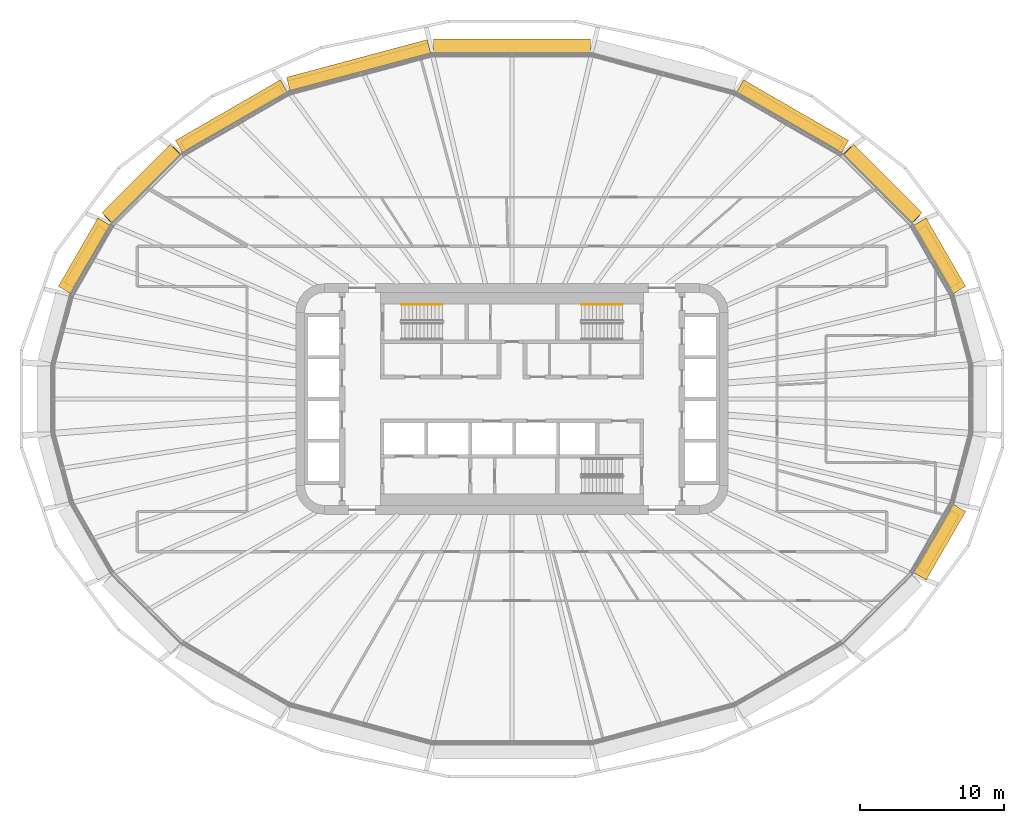
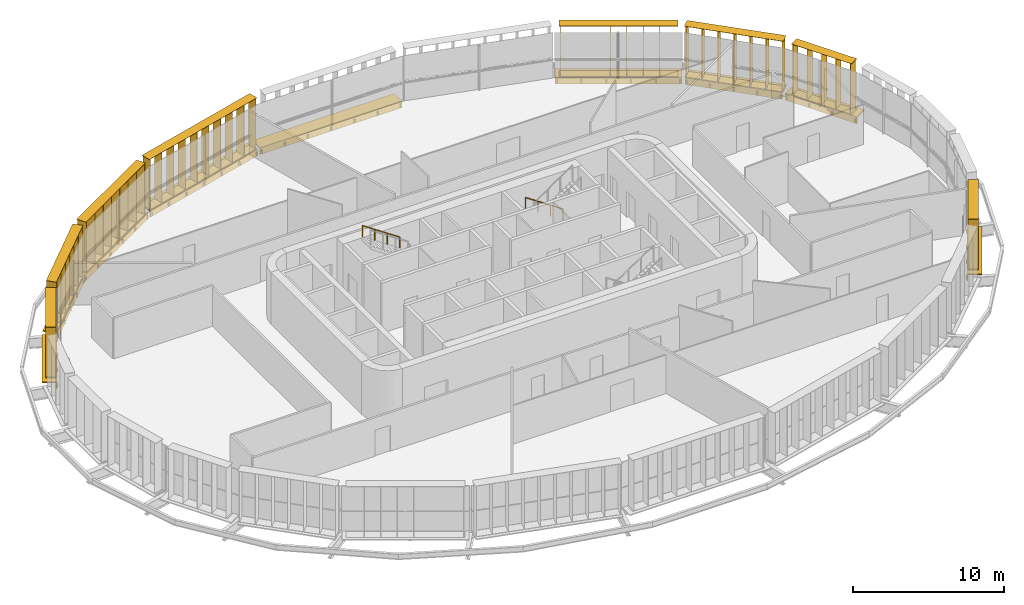
# One storey, part 24 of 25: 17 shading devices, 2 railings.
"""IFC4 building model written with IfcOpenShell, lengths in metres."""

from ifc_helpers import new_model, si_unit, direction, frame, origin, origin_2d, place, context, subcontext, project, spatial, rectangle, circle, extrude, material, type_object, element, save


model = new_model("IFC4")

# Units and contexts
model_context = context("Model", 3, precision=1e-05, world=origin(), true_north=direction((0.0, 1.0)))
body_context = subcontext(model_context, "Body", "Model", "MODEL_VIEW")
ifc_project = project(units=[si_unit("LENGTHUNIT", "METRE"), si_unit("AREAUNIT", "SQUARE_METRE"), si_unit("VOLUMEUNIT", "CUBIC_METRE"), si_unit("PLANEANGLEUNIT", "RADIAN"), si_unit("MASSUNIT", "GRAM", prefix="KILO")], contexts=[model_context])

# Site, building, storey
site_placement = place(None, origin())
site = spatial("IfcSite", under=ifc_project, at=site_placement, CompositionType="ELEMENT")
building_placement = place(site_placement, origin())
building = spatial("IfcBuilding", under=site, at=building_placement, Name="Sahrelin Media Tower", CompositionType="ELEMENT")
storey_placement = place(building_placement, frame((0.0, 0.0, 106.199951171875)))
storey = spatial("IfcBuildingStorey", under=building, at=storey_placement, Name="L20", CompositionType="ELEMENT", Elevation=106.199951171875)

# Shading devices
ifc_material_1 = material(Name="Champagne anodised aluminium 6063-T6", Category="aluminium")
shading_device_type_1 = type_object("IfcShadingDeviceType", Name="Fin cassette", PredefinedType="USERDEFINED", material=ifc_material_1)
placement_1 = place(storey_placement, frame((29.231689453125, 9.67041015625, 0.0), z_axis=(0.0, 0.0, 1.0), x_axis=(0.500011000363, -0.866019052629, 0.0)))
element("IfcShadingDevice", 1, at=placement_1, inside=storey, type_object=shading_device_type_1, Name="L20:FIN:L20-02", ObjectType="FIN", PredefinedType="USERDEFINED", context=body_context, shape_type="SweptSolid", body=[
    extrude(rectangle(XDim=4.60009765625, YDim=0.699951171875, at=origin_2d()), frame((0.0, 0.419921875, 0.0)), (0.0, 0.0, 1.0), 0.02001953125),
    extrude(rectangle(XDim=4.60009765625, YDim=0.699951171875, at=origin_2d()), frame((0.0, 0.419921875, 4.10009765625)), (0.0, 0.0, 1.0), 0.02001953125),
    extrude(rectangle(XDim=0.02001953125, YDim=0.699951171875, at=origin_2d()), frame((-2.199951171875, 0.419921875, 0.010009765625), z_axis=(0.0, 0.0, 1.0), x_axis=(1.0, 0.0, 0.0)), (0.0, 0.0, 1.0), 4.10009765625),
    extrude(rectangle(XDim=0.02001953125, YDim=0.699951171875, at=origin_2d()), frame((-1.10009765625, 0.419921875, 0.010009765625), z_axis=(0.0, 0.0, 1.0), x_axis=(1.0, 0.0, 0.0)), (0.0, 0.0, 1.0), 4.10009765625),
    extrude(rectangle(XDim=0.02001953125, YDim=0.699951171875, at=origin_2d()), frame((0.0, 0.419921875, 0.010009765625), z_axis=(0.0, 0.0, 1.0), x_axis=(1.0, 0.0, 0.0)), (0.0, 0.0, 1.0), 4.10009765625),
    extrude(rectangle(XDim=0.02001953125, YDim=0.699951171875, at=origin_2d()), frame((1.10009765625, 0.419921875, 0.010009765625), z_axis=(0.0, 0.0, 1.0), x_axis=(1.0, 0.0, 0.0)), (0.0, 0.0, 1.0), 4.10009765625),
    extrude(rectangle(XDim=0.02001953125, YDim=0.699951171875, at=origin_2d()), frame((2.199951171875, 0.419921875, 0.010009765625), z_axis=(0.0, 0.0, 1.0), x_axis=(1.0, 0.0, 0.0)), (0.0, 0.0, 1.0), 4.10009765625),
])
placement_2 = place(storey_placement, frame((25.371337890625, 14.5703125, 0.0), z_axis=(0.0, 0.0, 1.0), x_axis=(0.707106781187, -0.707106781187, 0.0)))
element("IfcShadingDevice", 2, at=placement_2, inside=storey, type_object=shading_device_type_1, Name="L20:FIN:L20-03", ObjectType="FIN", PredefinedType="USERDEFINED", context=body_context, shape_type="SweptSolid", body=[
    extrude(rectangle(XDim=6.800048828125, YDim=0.699951171875, at=origin_2d()), frame((0.0, 0.419921875, 0.0)), (0.0, 0.0, 1.0), 0.02001953125),
    extrude(rectangle(XDim=6.800048828125, YDim=0.699951171875, at=origin_2d()), frame((0.0, 0.419921875, 4.10009765625)), (0.0, 0.0, 1.0), 0.02001953125),
    extrude(rectangle(XDim=0.02001953125, YDim=0.699951171875, at=origin_2d()), frame((-3.300048828125, 0.419921875, 0.010009765625), z_axis=(0.0, 0.0, 1.0), x_axis=(1.0, 0.0, 0.0)), (0.0, 0.0, 1.0), 4.10009765625),
    extrude(rectangle(XDim=0.02001953125, YDim=0.699951171875, at=origin_2d()), frame((-2.199951171875, 0.419921875, 0.010009765625), z_axis=(0.0, 0.0, 1.0), x_axis=(1.0, 0.0, 0.0)), (0.0, 0.0, 1.0), 4.10009765625),
    extrude(rectangle(XDim=0.02001953125, YDim=0.699951171875, at=origin_2d()), frame((-1.10009765625, 0.419921875, 0.010009765625), z_axis=(0.0, 0.0, 1.0), x_axis=(1.0, 0.0, 0.0)), (0.0, 0.0, 1.0), 4.10009765625),
    extrude(rectangle(XDim=0.02001953125, YDim=0.699951171875, at=origin_2d()), frame((0.0, 0.419921875, 0.010009765625), z_axis=(0.0, 0.0, 1.0), x_axis=(1.0, 0.0, 0.0)), (0.0, 0.0, 1.0), 4.10009765625),
    extrude(rectangle(XDim=0.02001953125, YDim=0.699951171875, at=origin_2d()), frame((1.10009765625, 0.419921875, 0.010009765625), z_axis=(0.0, 0.0, 1.0), x_axis=(1.0, 0.0, 0.0)), (0.0, 0.0, 1.0), 4.10009765625),
    extrude(rectangle(XDim=0.02001953125, YDim=0.699951171875, at=origin_2d()), frame((2.199951171875, 0.419921875, 0.010009765625), z_axis=(0.0, 0.0, 1.0), x_axis=(1.0, 0.0, 0.0)), (0.0, 0.0, 1.0), 4.10009765625),
    extrude(rectangle(XDim=0.02001953125, YDim=0.699951171875, at=origin_2d()), frame((3.300048828125, 0.419921875, 0.010009765625), z_axis=(0.0, 0.0, 1.0), x_axis=(1.0, 0.0, 0.0)), (0.0, 0.0, 1.0), 4.10009765625),
])
placement_3 = place(storey_placement, frame((19.20751953125, 19.160400390625, 0.0), z_axis=(0.0, 0.0, 1.0), x_axis=(0.866019052629, -0.500011000363, 0.0)))
element("IfcShadingDevice", 3, at=placement_3, inside=storey, type_object=shading_device_type_1, Name="L20:FIN:L20-04", ObjectType="FIN", PredefinedType="USERDEFINED", context=body_context, shape_type="SweptSolid", body=[
    extrude(rectangle(XDim=7.89990234375, YDim=0.699951171875, at=origin_2d()), frame((0.0, 0.419921875, 0.0)), (0.0, 0.0, 1.0), 0.02001953125),
    extrude(rectangle(XDim=7.89990234375, YDim=0.699951171875, at=origin_2d()), frame((0.0, 0.419921875, 4.10009765625)), (0.0, 0.0, 1.0), 0.02001953125),
    extrude(rectangle(XDim=0.02001953125, YDim=0.699951171875, at=origin_2d()), frame((-3.85009765625, 0.419921875, 0.010009765625), z_axis=(0.0, 0.0, 1.0), x_axis=(1.0, 0.0, 0.0)), (0.0, 0.0, 1.0), 4.10009765625),
    extrude(rectangle(XDim=0.02001953125, YDim=0.699951171875, at=origin_2d()), frame((-2.75, 0.419921875, 0.010009765625), z_axis=(0.0, 0.0, 1.0), x_axis=(1.0, 0.0, 0.0)), (0.0, 0.0, 1.0), 4.10009765625),
    extrude(rectangle(XDim=0.02001953125, YDim=0.699951171875, at=origin_2d()), frame((-1.64990234375, 0.419921875, 0.010009765625), z_axis=(0.0, 0.0, 1.0), x_axis=(1.0, 0.0, 0.0)), (0.0, 0.0, 1.0), 4.10009765625),
    extrude(rectangle(XDim=0.02001953125, YDim=0.699951171875, at=origin_2d()), frame((-0.550048828125, 0.419921875, 0.010009765625), z_axis=(0.0, 0.0, 1.0), x_axis=(1.0, 0.0, 0.0)), (0.0, 0.0, 1.0), 4.10009765625),
    extrude(rectangle(XDim=0.02001953125, YDim=0.699951171875, at=origin_2d()), frame((0.550048828125, 0.419921875, 0.010009765625), z_axis=(0.0, 0.0, 1.0), x_axis=(1.0, 0.0, 0.0)), (0.0, 0.0, 1.0), 4.10009765625),
    extrude(rectangle(XDim=0.02001953125, YDim=0.699951171875, at=origin_2d()), frame((1.64990234375, 0.419921875, 0.010009765625), z_axis=(0.0, 0.0, 1.0), x_axis=(1.0, 0.0, 0.0)), (0.0, 0.0, 1.0), 4.10009765625),
    extrude(rectangle(XDim=0.02001953125, YDim=0.699951171875, at=origin_2d()), frame((2.75, 0.419921875, 0.010009765625), z_axis=(0.0, 0.0, 1.0), x_axis=(1.0, 0.0, 0.0)), (0.0, 0.0, 1.0), 4.10009765625),
    extrude(rectangle(XDim=0.02001953125, YDim=0.699951171875, at=origin_2d()), frame((3.85009765625, 0.419921875, 0.010009765625), z_axis=(0.0, 0.0, 1.0), x_axis=(1.0, 0.0, 0.0)), (0.0, 0.0, 1.0), 4.10009765625),
])
placement_4 = place(storey_placement, frame((-10.507080078125, 22.643798828125, 0.0), z_axis=(0.0, 0.0, 1.0), x_axis=(0.965928857556, 0.258807731996, 0.0)))
element("IfcShadingDevice", 4, at=placement_4, inside=storey, type_object=shading_device_type_1, Name="L20:FIN:L20-07", ObjectType="FIN", PredefinedType="USERDEFINED", context=body_context, shape_type="SweptSolid", body=[
    extrude(rectangle(XDim=10.10009765625, YDim=0.699951171875, at=origin_2d()), frame((0.0, 0.419921875, 0.0)), (0.0, 0.0, 1.0), 0.02001953125),
    extrude(rectangle(XDim=10.10009765625, YDim=0.699951171875, at=origin_2d()), frame((0.0, 0.419921875, 4.10009765625)), (0.0, 0.0, 1.0), 0.02001953125),
    extrude(rectangle(XDim=0.02001953125, YDim=0.699951171875, at=origin_2d()), frame((-4.949951171875, 0.419921875, 0.010009765625), z_axis=(0.0, 0.0, 1.0), x_axis=(1.0, 0.0, 0.0)), (0.0, 0.0, 1.0), 4.10009765625),
    extrude(rectangle(XDim=0.02001953125, YDim=0.699951171875, at=origin_2d()), frame((-3.85009765625, 0.419921875, 0.010009765625), z_axis=(0.0, 0.0, 1.0), x_axis=(1.0, 0.0, 0.0)), (0.0, 0.0, 1.0), 4.10009765625),
    extrude(rectangle(XDim=0.02001953125, YDim=0.699951171875, at=origin_2d()), frame((-2.75, 0.419921875, 0.010009765625), z_axis=(0.0, 0.0, 1.0), x_axis=(1.0, 0.0, 0.0)), (0.0, 0.0, 1.0), 4.10009765625),
    extrude(rectangle(XDim=0.02001953125, YDim=0.699951171875, at=origin_2d()), frame((-1.64990234375, 0.419921875, 0.010009765625), z_axis=(0.0, 0.0, 1.0), x_axis=(1.0, 0.0, 0.0)), (0.0, 0.0, 1.0), 4.10009765625),
    extrude(rectangle(XDim=0.02001953125, YDim=0.699951171875, at=origin_2d()), frame((-0.550048828125, 0.419921875, 0.010009765625), z_axis=(0.0, 0.0, 1.0), x_axis=(1.0, 0.0, 0.0)), (0.0, 0.0, 1.0), 4.10009765625),
    extrude(rectangle(XDim=0.02001953125, YDim=0.699951171875, at=origin_2d()), frame((0.550048828125, 0.419921875, 0.010009765625), z_axis=(0.0, 0.0, 1.0), x_axis=(1.0, 0.0, 0.0)), (0.0, 0.0, 1.0), 4.10009765625),
    extrude(rectangle(XDim=0.02001953125, YDim=0.699951171875, at=origin_2d()), frame((1.64990234375, 0.419921875, 0.010009765625), z_axis=(0.0, 0.0, 1.0), x_axis=(1.0, 0.0, 0.0)), (0.0, 0.0, 1.0), 4.10009765625),
    extrude(rectangle(XDim=0.02001953125, YDim=0.699951171875, at=origin_2d()), frame((2.75, 0.419921875, 0.010009765625), z_axis=(0.0, 0.0, 1.0), x_axis=(1.0, 0.0, 0.0)), (0.0, 0.0, 1.0), 4.10009765625),
    extrude(rectangle(XDim=0.02001953125, YDim=0.699951171875, at=origin_2d()), frame((3.85009765625, 0.419921875, 0.010009765625), z_axis=(0.0, 0.0, 1.0), x_axis=(1.0, 0.0, 0.0)), (0.0, 0.0, 1.0), 4.10009765625),
    extrude(rectangle(XDim=0.02001953125, YDim=0.699951171875, at=origin_2d()), frame((4.949951171875, 0.419921875, 0.010009765625), z_axis=(0.0, 0.0, 1.0), x_axis=(1.0, 0.0, 0.0)), (0.0, 0.0, 1.0), 4.10009765625),
])
placement_5 = place(storey_placement, frame((-19.20751953125, 19.160400390625, 0.0), z_axis=(0.0, 0.0, 1.0), x_axis=(0.866019052629, 0.500011000363, 0.0)))
element("IfcShadingDevice", 5, at=placement_5, inside=storey, type_object=shading_device_type_1, Name="L20:FIN:L20-08", ObjectType="FIN", PredefinedType="USERDEFINED", context=body_context, shape_type="SweptSolid", body=[
    extrude(rectangle(XDim=7.89990234375, YDim=0.699951171875, at=origin_2d()), frame((0.0, 0.419921875, 0.0)), (0.0, 0.0, 1.0), 0.02001953125),
    extrude(rectangle(XDim=7.89990234375, YDim=0.699951171875, at=origin_2d()), frame((0.0, 0.419921875, 4.10009765625)), (0.0, 0.0, 1.0), 0.02001953125),
    extrude(rectangle(XDim=0.02001953125, YDim=0.699951171875, at=origin_2d()), frame((-3.85009765625, 0.419921875, 0.010009765625), z_axis=(0.0, 0.0, 1.0), x_axis=(1.0, 0.0, 0.0)), (0.0, 0.0, 1.0), 4.10009765625),
    extrude(rectangle(XDim=0.02001953125, YDim=0.699951171875, at=origin_2d()), frame((-2.75, 0.419921875, 0.010009765625), z_axis=(0.0, 0.0, 1.0), x_axis=(1.0, 0.0, 0.0)), (0.0, 0.0, 1.0), 4.10009765625),
    extrude(rectangle(XDim=0.02001953125, YDim=0.699951171875, at=origin_2d()), frame((-1.64990234375, 0.419921875, 0.010009765625), z_axis=(0.0, 0.0, 1.0), x_axis=(1.0, 0.0, 0.0)), (0.0, 0.0, 1.0), 4.10009765625),
    extrude(rectangle(XDim=0.02001953125, YDim=0.699951171875, at=origin_2d()), frame((-0.550048828125, 0.419921875, 0.010009765625), z_axis=(0.0, 0.0, 1.0), x_axis=(1.0, 0.0, 0.0)), (0.0, 0.0, 1.0), 4.10009765625),
    extrude(rectangle(XDim=0.02001953125, YDim=0.699951171875, at=origin_2d()), frame((0.550048828125, 0.419921875, 0.010009765625), z_axis=(0.0, 0.0, 1.0), x_axis=(1.0, 0.0, 0.0)), (0.0, 0.0, 1.0), 4.10009765625),
    extrude(rectangle(XDim=0.02001953125, YDim=0.699951171875, at=origin_2d()), frame((1.64990234375, 0.419921875, 0.010009765625), z_axis=(0.0, 0.0, 1.0), x_axis=(1.0, 0.0, 0.0)), (0.0, 0.0, 1.0), 4.10009765625),
    extrude(rectangle(XDim=0.02001953125, YDim=0.699951171875, at=origin_2d()), frame((2.75, 0.419921875, 0.010009765625), z_axis=(0.0, 0.0, 1.0), x_axis=(1.0, 0.0, 0.0)), (0.0, 0.0, 1.0), 4.10009765625),
    extrude(rectangle(XDim=0.02001953125, YDim=0.699951171875, at=origin_2d()), frame((3.85009765625, 0.419921875, 0.010009765625), z_axis=(0.0, 0.0, 1.0), x_axis=(1.0, 0.0, 0.0)), (0.0, 0.0, 1.0), 4.10009765625),
])
placement_6 = place(storey_placement, frame((-25.371337890625, 14.5703125, 0.0), z_axis=(0.0, 0.0, 1.0), x_axis=(0.707106781187, 0.707106781187, 0.0)))
element("IfcShadingDevice", 6, at=placement_6, inside=storey, type_object=shading_device_type_1, Name="L20:FIN:L20-09", ObjectType="FIN", PredefinedType="USERDEFINED", context=body_context, shape_type="SweptSolid", body=[
    extrude(rectangle(XDim=6.800048828125, YDim=0.699951171875, at=origin_2d()), frame((0.0, 0.419921875, 0.0)), (0.0, 0.0, 1.0), 0.02001953125),
    extrude(rectangle(XDim=6.800048828125, YDim=0.699951171875, at=origin_2d()), frame((0.0, 0.419921875, 4.10009765625)), (0.0, 0.0, 1.0), 0.02001953125),
    extrude(rectangle(XDim=0.02001953125, YDim=0.699951171875, at=origin_2d()), frame((-3.300048828125, 0.419921875, 0.010009765625), z_axis=(0.0, 0.0, 1.0), x_axis=(1.0, 0.0, 0.0)), (0.0, 0.0, 1.0), 4.10009765625),
    extrude(rectangle(XDim=0.02001953125, YDim=0.699951171875, at=origin_2d()), frame((-2.199951171875, 0.419921875, 0.010009765625), z_axis=(0.0, 0.0, 1.0), x_axis=(1.0, 0.0, 0.0)), (0.0, 0.0, 1.0), 4.10009765625),
    extrude(rectangle(XDim=0.02001953125, YDim=0.699951171875, at=origin_2d()), frame((-1.10009765625, 0.419921875, 0.010009765625), z_axis=(0.0, 0.0, 1.0), x_axis=(1.0, 0.0, 0.0)), (0.0, 0.0, 1.0), 4.10009765625),
    extrude(rectangle(XDim=0.02001953125, YDim=0.699951171875, at=origin_2d()), frame((0.0, 0.419921875, 0.010009765625), z_axis=(0.0, 0.0, 1.0), x_axis=(1.0, 0.0, 0.0)), (0.0, 0.0, 1.0), 4.10009765625),
    extrude(rectangle(XDim=0.02001953125, YDim=0.699951171875, at=origin_2d()), frame((1.10009765625, 0.419921875, 0.010009765625), z_axis=(0.0, 0.0, 1.0), x_axis=(1.0, 0.0, 0.0)), (0.0, 0.0, 1.0), 4.10009765625),
    extrude(rectangle(XDim=0.02001953125, YDim=0.699951171875, at=origin_2d()), frame((2.199951171875, 0.419921875, 0.010009765625), z_axis=(0.0, 0.0, 1.0), x_axis=(1.0, 0.0, 0.0)), (0.0, 0.0, 1.0), 4.10009765625),
    extrude(rectangle(XDim=0.02001953125, YDim=0.699951171875, at=origin_2d()), frame((3.300048828125, 0.419921875, 0.010009765625), z_axis=(0.0, 0.0, 1.0), x_axis=(1.0, 0.0, 0.0)), (0.0, 0.0, 1.0), 4.10009765625),
])
placement_7 = place(storey_placement, frame((-29.231689453125, 9.67041015625, 0.0), z_axis=(0.0, 0.0, 1.0), x_axis=(0.500011000363, 0.866019052629, 0.0)))
element("IfcShadingDevice", 7, at=placement_7, inside=storey, type_object=shading_device_type_1, Name="L20:FIN:L20-10", ObjectType="FIN", PredefinedType="USERDEFINED", context=body_context, shape_type="SweptSolid", body=[
    extrude(rectangle(XDim=4.60009765625, YDim=0.699951171875, at=origin_2d()), frame((0.0, 0.419921875, 0.0)), (0.0, 0.0, 1.0), 0.02001953125),
    extrude(rectangle(XDim=4.60009765625, YDim=0.699951171875, at=origin_2d()), frame((0.0, 0.419921875, 4.10009765625)), (0.0, 0.0, 1.0), 0.02001953125),
    extrude(rectangle(XDim=0.02001953125, YDim=0.699951171875, at=origin_2d()), frame((-2.199951171875, 0.419921875, 0.010009765625), z_axis=(0.0, 0.0, 1.0), x_axis=(1.0, 0.0, 0.0)), (0.0, 0.0, 1.0), 4.10009765625),
    extrude(rectangle(XDim=0.02001953125, YDim=0.699951171875, at=origin_2d()), frame((-1.10009765625, 0.419921875, 0.010009765625), z_axis=(0.0, 0.0, 1.0), x_axis=(1.0, 0.0, 0.0)), (0.0, 0.0, 1.0), 4.10009765625),
    extrude(rectangle(XDim=0.02001953125, YDim=0.699951171875, at=origin_2d()), frame((0.0, 0.419921875, 0.010009765625), z_axis=(0.0, 0.0, 1.0), x_axis=(1.0, 0.0, 0.0)), (0.0, 0.0, 1.0), 4.10009765625),
    extrude(rectangle(XDim=0.02001953125, YDim=0.699951171875, at=origin_2d()), frame((1.10009765625, 0.419921875, 0.010009765625), z_axis=(0.0, 0.0, 1.0), x_axis=(1.0, 0.0, 0.0)), (0.0, 0.0, 1.0), 4.10009765625),
    extrude(rectangle(XDim=0.02001953125, YDim=0.699951171875, at=origin_2d()), frame((2.199951171875, 0.419921875, 0.010009765625), z_axis=(0.0, 0.0, 1.0), x_axis=(1.0, 0.0, 0.0)), (0.0, 0.0, 1.0), 4.10009765625),
])
placement_8 = place(storey_placement, frame((29.231689453125, -9.67041015625, 0.0), z_axis=(0.0, 0.0, 1.0), x_axis=(-0.500011000363, -0.866019052629, 0.0)))
element("IfcShadingDevice", 8, at=placement_8, inside=storey, type_object=shading_device_type_1, Name="L20:FIN:L20-22", ObjectType="FIN", PredefinedType="USERDEFINED", context=body_context, shape_type="SweptSolid", body=[
    extrude(rectangle(XDim=4.60009765625, YDim=0.699951171875, at=origin_2d()), frame((0.0, 0.419921875, 0.0)), (0.0, 0.0, 1.0), 0.02001953125),
    extrude(rectangle(XDim=4.60009765625, YDim=0.699951171875, at=origin_2d()), frame((0.0, 0.419921875, 4.10009765625)), (0.0, 0.0, 1.0), 0.02001953125),
    extrude(rectangle(XDim=0.02001953125, YDim=0.699951171875, at=origin_2d()), frame((-2.199951171875, 0.419921875, 0.010009765625), z_axis=(0.0, 0.0, 1.0), x_axis=(1.0, 0.0, 0.0)), (0.0, 0.0, 1.0), 4.10009765625),
    extrude(rectangle(XDim=0.02001953125, YDim=0.699951171875, at=origin_2d()), frame((-1.10009765625, 0.419921875, 0.010009765625), z_axis=(0.0, 0.0, 1.0), x_axis=(1.0, 0.0, 0.0)), (0.0, 0.0, 1.0), 4.10009765625),
    extrude(rectangle(XDim=0.02001953125, YDim=0.699951171875, at=origin_2d()), frame((0.0, 0.419921875, 0.010009765625), z_axis=(0.0, 0.0, 1.0), x_axis=(1.0, 0.0, 0.0)), (0.0, 0.0, 1.0), 4.10009765625),
    extrude(rectangle(XDim=0.02001953125, YDim=0.699951171875, at=origin_2d()), frame((1.10009765625, 0.419921875, 0.010009765625), z_axis=(0.0, 0.0, 1.0), x_axis=(1.0, 0.0, 0.0)), (0.0, 0.0, 1.0), 4.10009765625),
    extrude(rectangle(XDim=0.02001953125, YDim=0.699951171875, at=origin_2d()), frame((2.199951171875, 0.419921875, 0.010009765625), z_axis=(0.0, 0.0, 1.0), x_axis=(1.0, 0.0, 0.0)), (0.0, 0.0, 1.0), 4.10009765625),
])

# Railings
ifc_material_2 = material(Name="Steel S355", Category="steel")
railing_type = type_object("IfcRailingType", Name="Stair handrail 900", PredefinedType="HANDRAIL", material=ifc_material_2)
railing_1_placement = place(storey_placement, frame((-4.81494140625, 6.550048828125, 2.275146484375)))
element("IfcRailing", 9, at=railing_1_placement, inside=storey, type_object=railing_type, Name="L20 ST1 stair handrail 2", PredefinedType="HANDRAIL", context=body_context, shape_type="SweptSolid", body=[
    extrude(circle(Radius=0.02392578125, at=origin_2d()), frame((0.0, 0.0, 0.8759765625), z_axis=(-0.829623704247, 0.0, 0.558322943601), x_axis=(0.0, -1.0, 0.0)), (0.0, 0.0, 1.0), 3.447509765625),
    extrude(circle(Radius=0.02099609375, at=origin_2d()), origin(), (0.0, 0.0, 1.0), 0.851806640625),
    extrude(circle(Radius=0.02099609375, at=origin_2d()), frame((-0.953369140625, 0.0, 0.6416015625)), (0.0, 0.0, 1.0), 0.851806640625),
    extrude(circle(Radius=0.02099609375, at=origin_2d()), frame((-1.90673828125, 0.0, 1.283203125)), (0.0, 0.0, 1.0), 0.851806640625),
    extrude(circle(Radius=0.02099609375, at=origin_2d()), frame((-2.860107421875, 0.0, 1.9248046875)), (0.0, 0.0, 1.0), 0.851806640625),
])
railing_2_placement = place(storey_placement, frame((7.675048828125, 6.550048828125, 0.175048828125)))
element("IfcRailing", 10, at=railing_2_placement, inside=storey, type_object=railing_type, Name="L20 ST3 stair handrail 1", PredefinedType="HANDRAIL", context=body_context, shape_type="SweptSolid", body=[
    extrude(circle(Radius=0.02392578125, at=origin_2d()), frame((0.0, 0.0, 0.8759765625), z_axis=(-0.829590901723, 0.0, 0.558371682465), x_axis=(0.0, -1.0, 0.0)), (0.0, 0.0, 1.0), 3.447509765625),
    extrude(circle(Radius=0.02099609375, at=origin_2d()), origin(), (0.0, 0.0, 1.0), 0.851806640625),
    extrude(circle(Radius=0.02099609375, at=origin_2d()), frame((-0.953369140625, 0.0, 0.6416015625)), (0.0, 0.0, 1.0), 0.851806640625),
    extrude(circle(Radius=0.02099609375, at=origin_2d()), frame((-1.90673828125, 0.0, 1.283447265625)), (0.0, 0.0, 1.0), 0.851806640625),
    extrude(circle(Radius=0.02099609375, at=origin_2d()), frame((-2.860107421875, 0.0, 1.925048828125)), (0.0, 0.0, 1.0), 0.851806640625),
])

# Shading devices
shading_device_type_2 = type_object("IfcShadingDeviceType", Name="Sunshade band", PredefinedType="USERDEFINED", material=ifc_material_1)
element("IfcShadingDevice", 11, at=placement_1, inside=storey, type_object=shading_device_type_2, Name="L20:SUN:L20-02", ObjectType="SUNSHADE", PredefinedType="USERDEFINED", context=body_context, shape_type="SweptSolid", body=[
    extrude(rectangle(XDim=5.481201171875, YDim=0.050048828125, at=origin_2d()), frame((0.0, 0.044921875, -0.55126953125)), (0.0, 0.0, 1.0), 0.471435546875),
    extrude(rectangle(XDim=5.481201171875, YDim=1.0, at=origin_2d()), frame((0.0, 0.52001953125, -0.080078125)), (0.0, 0.0, 1.0), 0.080078125),
    extrude(rectangle(XDim=0.10009765625, YDim=0.074951171875, at=origin_2d()), frame((-2.640625, -0.017578125, -0.47021484375)), (0.0, 0.0, 1.0), 0.300048828125),
    extrude(rectangle(XDim=0.10009765625, YDim=0.074951171875, at=origin_2d()), frame((-0.880126953125, -0.017578125, -0.47021484375)), (0.0, 0.0, 1.0), 0.300048828125),
    extrude(rectangle(XDim=0.10009765625, YDim=0.074951171875, at=origin_2d()), frame((0.880126953125, -0.017578125, -0.47021484375)), (0.0, 0.0, 1.0), 0.300048828125),
    extrude(rectangle(XDim=0.10009765625, YDim=0.074951171875, at=origin_2d()), frame((2.640625, -0.017578125, -0.47021484375)), (0.0, 0.0, 1.0), 0.300048828125),
])
element("IfcShadingDevice", 12, at=placement_2, inside=storey, type_object=shading_device_type_2, Name="L20:SUN:L20-03", ObjectType="SUNSHADE", PredefinedType="USERDEFINED", context=body_context, shape_type="SweptSolid", body=[
    extrude(rectangle(XDim=6.701416015625, YDim=0.050048828125, at=origin_2d()), frame((0.0, 0.044921875, -0.55126953125)), (0.0, 0.0, 1.0), 0.471435546875),
    extrude(rectangle(XDim=6.701416015625, YDim=1.0, at=origin_2d()), frame((0.0, 0.52001953125, -0.080078125)), (0.0, 0.0, 1.0), 0.080078125),
    extrude(rectangle(XDim=0.10009765625, YDim=0.074951171875, at=origin_2d()), frame((-3.250732421875, -0.017578125, -0.47021484375)), (0.0, 0.0, 1.0), 0.300048828125),
    extrude(rectangle(XDim=0.10009765625, YDim=0.074951171875, at=origin_2d()), frame((-1.625244140625, -0.017578125, -0.47021484375)), (0.0, 0.0, 1.0), 0.300048828125),
    extrude(rectangle(XDim=0.10009765625, YDim=0.074951171875, at=origin_2d()), frame((0.0, -0.017578125, -0.47021484375)), (0.0, 0.0, 1.0), 0.300048828125),
    extrude(rectangle(XDim=0.10009765625, YDim=0.074951171875, at=origin_2d()), frame((1.625244140625, -0.017578125, -0.47021484375)), (0.0, 0.0, 1.0), 0.300048828125),
    extrude(rectangle(XDim=0.10009765625, YDim=0.074951171875, at=origin_2d()), frame((3.250732421875, -0.017578125, -0.47021484375)), (0.0, 0.0, 1.0), 0.300048828125),
])
element("IfcShadingDevice", 13, at=placement_3, inside=storey, type_object=shading_device_type_2, Name="L20:SUN:L20-04", ObjectType="SUNSHADE", PredefinedType="USERDEFINED", context=body_context, shape_type="SweptSolid", body=[
    extrude(rectangle(XDim=8.39990234375, YDim=0.050048828125, at=origin_2d()), frame((0.0, 0.044921875, -0.55126953125)), (0.0, 0.0, 1.0), 0.471435546875),
    extrude(rectangle(XDim=8.39990234375, YDim=1.0, at=origin_2d()), frame((0.0, 0.52001953125, -0.080078125)), (0.0, 0.0, 1.0), 0.080078125),
    extrude(rectangle(XDim=0.10009765625, YDim=0.074951171875, at=origin_2d()), frame((-4.10009765625, -0.017578125, -0.47021484375)), (0.0, 0.0, 1.0), 0.300048828125),
    extrude(rectangle(XDim=0.10009765625, YDim=0.074951171875, at=origin_2d()), frame((-2.4599609375, -0.017578125, -0.47021484375)), (0.0, 0.0, 1.0), 0.300048828125),
    extrude(rectangle(XDim=0.10009765625, YDim=0.074951171875, at=origin_2d()), frame((-0.820068359375, -0.017578125, -0.47021484375)), (0.0, 0.0, 1.0), 0.300048828125),
    extrude(rectangle(XDim=0.10009765625, YDim=0.074951171875, at=origin_2d()), frame((0.820068359375, -0.017578125, -0.47021484375)), (0.0, 0.0, 1.0), 0.300048828125),
    extrude(rectangle(XDim=0.10009765625, YDim=0.074951171875, at=origin_2d()), frame((2.4599609375, -0.017578125, -0.47021484375)), (0.0, 0.0, 1.0), 0.300048828125),
    extrude(rectangle(XDim=0.10009765625, YDim=0.074951171875, at=origin_2d()), frame((4.10009765625, -0.017578125, -0.47021484375)), (0.0, 0.0, 1.0), 0.300048828125),
])
shading_device_12_placement = place(storey_placement, frame((0.0, 23.97705078125, 0.0), z_axis=(0.0, 0.0, 1.0), x_axis=(1.0, 0.0, 0.0)))
element("IfcShadingDevice", 14, at=shading_device_12_placement, inside=storey, type_object=shading_device_type_2, Name="L20:SUN:L20-06", ObjectType="SUNSHADE", PredefinedType="USERDEFINED", context=body_context, shape_type="SweptSolid", body=[
    extrude(rectangle(XDim=10.86181640625, YDim=0.050048828125, at=origin_2d()), frame((0.0, 0.044921875, -0.55126953125)), (0.0, 0.0, 1.0), 0.471435546875),
    extrude(rectangle(XDim=10.86181640625, YDim=1.0, at=origin_2d()), frame((0.0, 0.52001953125, -0.080078125)), (0.0, 0.0, 1.0), 0.080078125),
    extrude(rectangle(XDim=0.10009765625, YDim=0.074951171875, at=origin_2d()), frame((-5.330810546875, -0.017578125, -0.47021484375)), (0.0, 0.0, 1.0), 0.300048828125),
    extrude(rectangle(XDim=0.10009765625, YDim=0.074951171875, at=origin_2d()), frame((-3.553955078125, -0.017578125, -0.47021484375)), (0.0, 0.0, 1.0), 0.300048828125),
    extrude(rectangle(XDim=0.10009765625, YDim=0.074951171875, at=origin_2d()), frame((-1.777099609375, -0.017578125, -0.47021484375)), (0.0, 0.0, 1.0), 0.300048828125),
    extrude(rectangle(XDim=0.10009765625, YDim=0.074951171875, at=origin_2d()), frame((0.0, -0.017578125, -0.47021484375)), (0.0, 0.0, 1.0), 0.300048828125),
    extrude(rectangle(XDim=0.10009765625, YDim=0.074951171875, at=origin_2d()), frame((1.777099609375, -0.017578125, -0.47021484375)), (0.0, 0.0, 1.0), 0.300048828125),
    extrude(rectangle(XDim=0.10009765625, YDim=0.074951171875, at=origin_2d()), frame((3.553955078125, -0.017578125, -0.47021484375)), (0.0, 0.0, 1.0), 0.300048828125),
    extrude(rectangle(XDim=0.10009765625, YDim=0.074951171875, at=origin_2d()), frame((5.330810546875, -0.017578125, -0.47021484375)), (0.0, 0.0, 1.0), 0.300048828125),
])
element("IfcShadingDevice", 15, at=placement_4, inside=storey, type_object=shading_device_type_2, Name="L20:SUN:L20-07", ObjectType="SUNSHADE", PredefinedType="USERDEFINED", context=body_context, shape_type="SweptSolid", body=[
    extrude(rectangle(XDim=10.103759765625, YDim=0.050048828125, at=origin_2d()), frame((0.0, 0.044921875, -0.55126953125)), (0.0, 0.0, 1.0), 0.471435546875),
    extrude(rectangle(XDim=10.103759765625, YDim=1.0, at=origin_2d()), frame((0.0, 0.52001953125, -0.080078125)), (0.0, 0.0, 1.0), 0.080078125),
    extrude(rectangle(XDim=0.10009765625, YDim=0.074951171875, at=origin_2d()), frame((-4.951904296875, -0.017578125, -0.47021484375)), (0.0, 0.0, 1.0), 0.300048828125),
    extrude(rectangle(XDim=0.10009765625, YDim=0.074951171875, at=origin_2d()), frame((-3.30126953125, -0.017578125, -0.47021484375)), (0.0, 0.0, 1.0), 0.300048828125),
    extrude(rectangle(XDim=0.10009765625, YDim=0.074951171875, at=origin_2d()), frame((-1.650634765625, -0.017578125, -0.47021484375)), (0.0, 0.0, 1.0), 0.300048828125),
    extrude(rectangle(XDim=0.10009765625, YDim=0.074951171875, at=origin_2d()), frame((0.0, -0.017578125, -0.47021484375)), (0.0, 0.0, 1.0), 0.300048828125),
    extrude(rectangle(XDim=0.10009765625, YDim=0.074951171875, at=origin_2d()), frame((1.650634765625, -0.017578125, -0.47021484375)), (0.0, 0.0, 1.0), 0.300048828125),
    extrude(rectangle(XDim=0.10009765625, YDim=0.074951171875, at=origin_2d()), frame((3.30126953125, -0.017578125, -0.47021484375)), (0.0, 0.0, 1.0), 0.300048828125),
    extrude(rectangle(XDim=0.10009765625, YDim=0.074951171875, at=origin_2d()), frame((4.951904296875, -0.017578125, -0.47021484375)), (0.0, 0.0, 1.0), 0.300048828125),
])
element("IfcShadingDevice", 16, at=placement_5, inside=storey, type_object=shading_device_type_2, Name="L20:SUN:L20-08", ObjectType="SUNSHADE", PredefinedType="USERDEFINED", context=body_context, shape_type="SweptSolid", body=[
    extrude(rectangle(XDim=8.39990234375, YDim=0.050048828125, at=origin_2d()), frame((0.0, 0.044921875, -0.55126953125)), (0.0, 0.0, 1.0), 0.471435546875),
    extrude(rectangle(XDim=8.39990234375, YDim=1.0, at=origin_2d()), frame((0.0, 0.52001953125, -0.080078125)), (0.0, 0.0, 1.0), 0.080078125),
    extrude(rectangle(XDim=0.10009765625, YDim=0.074951171875, at=origin_2d()), frame((-4.10009765625, -0.017578125, -0.47021484375)), (0.0, 0.0, 1.0), 0.300048828125),
    extrude(rectangle(XDim=0.10009765625, YDim=0.074951171875, at=origin_2d()), frame((-2.4599609375, -0.017578125, -0.47021484375)), (0.0, 0.0, 1.0), 0.300048828125),
    extrude(rectangle(XDim=0.10009765625, YDim=0.074951171875, at=origin_2d()), frame((-0.820068359375, -0.017578125, -0.47021484375)), (0.0, 0.0, 1.0), 0.300048828125),
    extrude(rectangle(XDim=0.10009765625, YDim=0.074951171875, at=origin_2d()), frame((0.820068359375, -0.017578125, -0.47021484375)), (0.0, 0.0, 1.0), 0.300048828125),
    extrude(rectangle(XDim=0.10009765625, YDim=0.074951171875, at=origin_2d()), frame((2.4599609375, -0.017578125, -0.47021484375)), (0.0, 0.0, 1.0), 0.300048828125),
    extrude(rectangle(XDim=0.10009765625, YDim=0.074951171875, at=origin_2d()), frame((4.10009765625, -0.017578125, -0.47021484375)), (0.0, 0.0, 1.0), 0.300048828125),
])
element("IfcShadingDevice", 17, at=placement_6, inside=storey, type_object=shading_device_type_2, Name="L20:SUN:L20-09", ObjectType="SUNSHADE", PredefinedType="USERDEFINED", context=body_context, shape_type="SweptSolid", body=[
    extrude(rectangle(XDim=6.701416015625, YDim=0.050048828125, at=origin_2d()), frame((0.0, 0.044921875, -0.55126953125)), (0.0, 0.0, 1.0), 0.471435546875),
    extrude(rectangle(XDim=6.701416015625, YDim=1.0, at=origin_2d()), frame((0.0, 0.52001953125, -0.080078125)), (0.0, 0.0, 1.0), 0.080078125),
    extrude(rectangle(XDim=0.10009765625, YDim=0.074951171875, at=origin_2d()), frame((-3.250732421875, -0.017578125, -0.47021484375)), (0.0, 0.0, 1.0), 0.300048828125),
    extrude(rectangle(XDim=0.10009765625, YDim=0.074951171875, at=origin_2d()), frame((-1.625244140625, -0.017578125, -0.47021484375)), (0.0, 0.0, 1.0), 0.300048828125),
    extrude(rectangle(XDim=0.10009765625, YDim=0.074951171875, at=origin_2d()), frame((0.0, -0.017578125, -0.47021484375)), (0.0, 0.0, 1.0), 0.300048828125),
    extrude(rectangle(XDim=0.10009765625, YDim=0.074951171875, at=origin_2d()), frame((1.625244140625, -0.017578125, -0.47021484375)), (0.0, 0.0, 1.0), 0.300048828125),
    extrude(rectangle(XDim=0.10009765625, YDim=0.074951171875, at=origin_2d()), frame((3.250732421875, -0.017578125, -0.47021484375)), (0.0, 0.0, 1.0), 0.300048828125),
])
element("IfcShadingDevice", 18, at=placement_7, inside=storey, type_object=shading_device_type_2, Name="L20:SUN:L20-10", ObjectType="SUNSHADE", PredefinedType="USERDEFINED", context=body_context, shape_type="SweptSolid", body=[
    extrude(rectangle(XDim=5.481201171875, YDim=0.050048828125, at=origin_2d()), frame((0.0, 0.044921875, -0.55126953125)), (0.0, 0.0, 1.0), 0.471435546875),
    extrude(rectangle(XDim=5.481201171875, YDim=1.0, at=origin_2d()), frame((0.0, 0.52001953125, -0.080078125)), (0.0, 0.0, 1.0), 0.080078125),
    extrude(rectangle(XDim=0.10009765625, YDim=0.074951171875, at=origin_2d()), frame((-2.640625, -0.017578125, -0.47021484375)), (0.0, 0.0, 1.0), 0.300048828125),
    extrude(rectangle(XDim=0.10009765625, YDim=0.074951171875, at=origin_2d()), frame((-0.880126953125, -0.017578125, -0.47021484375)), (0.0, 0.0, 1.0), 0.300048828125),
    extrude(rectangle(XDim=0.10009765625, YDim=0.074951171875, at=origin_2d()), frame((0.880126953125, -0.017578125, -0.47021484375)), (0.0, 0.0, 1.0), 0.300048828125),
    extrude(rectangle(XDim=0.10009765625, YDim=0.074951171875, at=origin_2d()), frame((2.640625, -0.017578125, -0.47021484375)), (0.0, 0.0, 1.0), 0.300048828125),
])
element("IfcShadingDevice", 19, at=placement_8, inside=storey, type_object=shading_device_type_2, Name="L20:SUN:L20-22", ObjectType="SUNSHADE", PredefinedType="USERDEFINED", context=body_context, shape_type="SweptSolid", body=[
    extrude(rectangle(XDim=5.481201171875, YDim=0.050048828125, at=origin_2d()), frame((0.0, 0.044921875, -0.55126953125)), (0.0, 0.0, 1.0), 0.471435546875),
    extrude(rectangle(XDim=5.481201171875, YDim=1.0, at=origin_2d()), frame((0.0, 0.52001953125, -0.080078125)), (0.0, 0.0, 1.0), 0.080078125),
    extrude(rectangle(XDim=0.10009765625, YDim=0.074951171875, at=origin_2d()), frame((-2.640625, -0.017578125, -0.47021484375)), (0.0, 0.0, 1.0), 0.300048828125),
    extrude(rectangle(XDim=0.10009765625, YDim=0.074951171875, at=origin_2d()), frame((-0.880126953125, -0.017578125, -0.47021484375)), (0.0, 0.0, 1.0), 0.300048828125),
    extrude(rectangle(XDim=0.10009765625, YDim=0.074951171875, at=origin_2d()), frame((0.880126953125, -0.017578125, -0.47021484375)), (0.0, 0.0, 1.0), 0.300048828125),
    extrude(rectangle(XDim=0.10009765625, YDim=0.074951171875, at=origin_2d()), frame((2.640625, -0.017578125, -0.47021484375)), (0.0, 0.0, 1.0), 0.300048828125),
])

save(model, "model.ifc")
